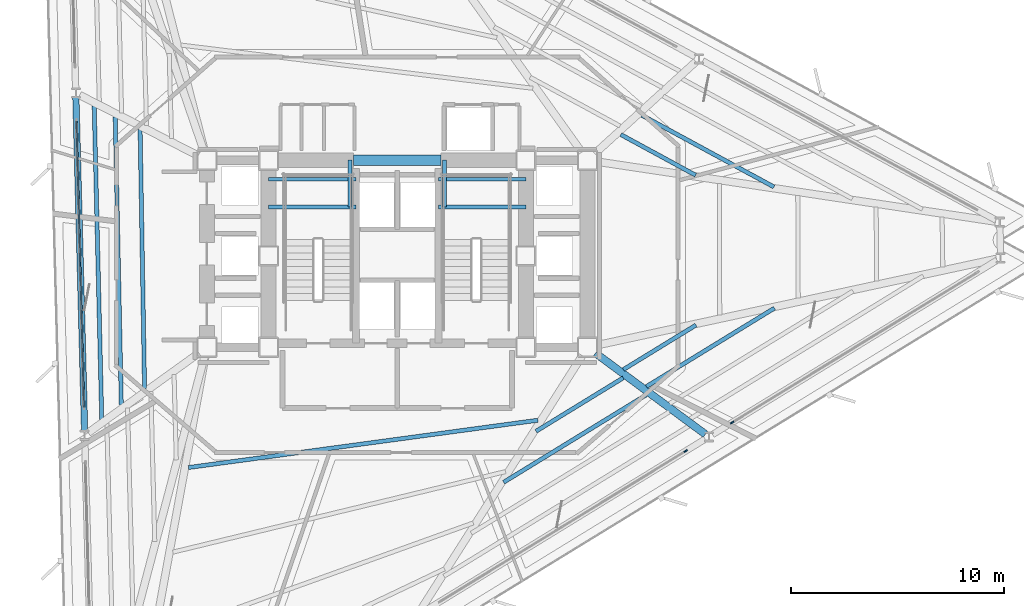
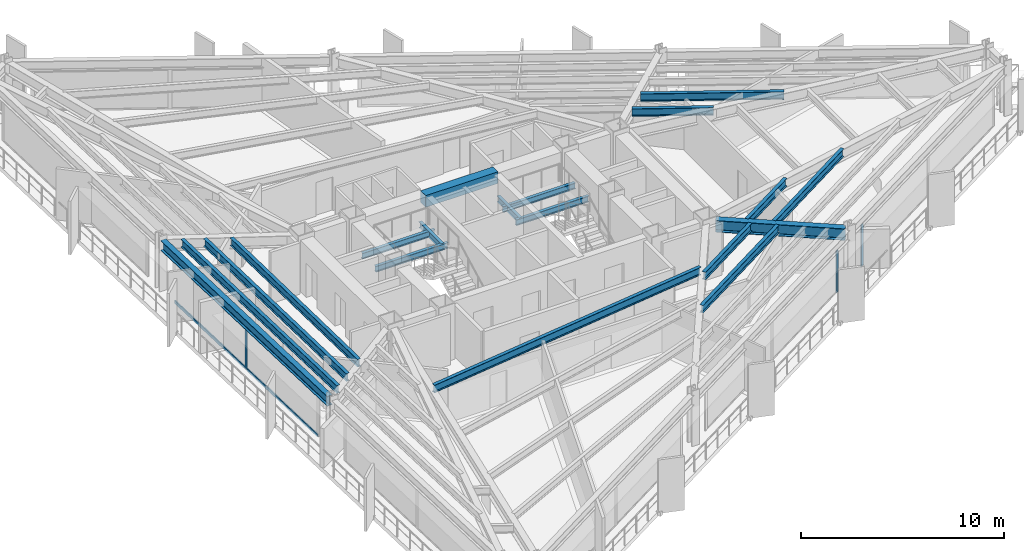
# One storey, part 3 of 14: 19 beams, 7 members, 3 elements without a shape of their own.
"""IFC4 building model written with IfcOpenShell, lengths in metres."""

from ifc_helpers import new_model, si_unit, direction, frame, origin, origin_2d, place, context, subcontext, project, spatial, rectangle, i_section, extrude, material, layer, layer_set, material_profile, profile_set, type_object, element, aggregate, save


model = new_model("IFC4")

# Units and contexts
model_context = context("Model", 3, precision=1e-05, world=origin(), true_north=direction((0.0, 1.0)))
body_context = subcontext(model_context, "Body", "Model", "MODEL_VIEW")
ifc_project = project(units=[si_unit("LENGTHUNIT", "METRE"), si_unit("AREAUNIT", "SQUARE_METRE"), si_unit("VOLUMEUNIT", "CUBIC_METRE"), si_unit("PLANEANGLEUNIT", "RADIAN"), si_unit("MASSUNIT", "GRAM", prefix="KILO")], contexts=[model_context])

# Site, building, storey
site_placement = place(None, origin())
site = spatial("IfcSite", under=ifc_project, at=site_placement, CompositionType="ELEMENT")
building_placement = place(site_placement, origin())
building = spatial("IfcBuilding", under=site, at=building_placement, Name="Rocaltana Carrier Exchange", CompositionType="ELEMENT")
storey_placement = place(building_placement, frame((0.0, 0.0, 32.320068359375)))
storey = spatial("IfcBuildingStorey", under=building, at=storey_placement, Name="L10", CompositionType="ELEMENT", Elevation=32.320068359375)

# Curtain wall, member
ifc_material_1 = material(Name="Aluminium 6063-T6", Category="aluminium")
ifc_layer = layer(ifc_material_1, 0.179931640625)
ifc_layer_set = layer_set([ifc_layer], Name="Aluminium 6063-T6")
curtain_wall_type = type_object("IfcCurtainWallType", Name="Sandstone Spandrel Unitised Curtain Wall CW-01", PredefinedType="NOTDEFINED", material=ifc_layer_set)
curtain_wall_1_placement = place(storey_placement, origin())
curtain_wall_1 = element("IfcCurtainWall", 1, at=curtain_wall_1_placement, inside=storey, type_object=curtain_wall_type, Name="L10 CW-01 Run CW-L10-F2S2", PredefinedType="NOTDEFINED")
ifc_material_2 = material(Name="Aluminium 6063-T6", Category="aluminium")
ifc_material_profile_1 = material_profile(ifc_material_2, rectangle(XDim=0.06494140625, YDim=0.179931640625, at=origin_2d()), Name="AL-65X180")
ifc_profile_set_1 = profile_set([ifc_material_profile_1], Name="Aluminium 6063-T6")
member_type_1 = type_object("IfcMemberType", Name="CW-01 Mullion AL-65X180", PredefinedType="MULLION", material=ifc_profile_set_1)
member_1_placement = place(storey_placement, frame((-14.91064453125, -0.390380859375, 0.0), z_axis=(0.0, 0.0, 1.0), x_axis=(0.99965733548, 0.026176547142, 0.0)))
member_1 = element("IfcMember", 2, at=member_1_placement, type_object=member_type_1, Name="CW-01 mullion 2", PredefinedType="MULLION", context=body_context, shape_type="SweptSolid", body=[
    extrude(rectangle(XDim=0.06494140625, YDim=0.179931640625, at=origin_2d()), origin(), (0.0, 0.0, 1.0), 2.47802734375),
])

curtain_wall_2_placement = place(storey_placement, origin())
curtain_wall_2 = element("IfcCurtainWall", 3, at=curtain_wall_2_placement, inside=storey, type_object=curtain_wall_type, Name="L10 CW-01 Run CW-L10-F3S2", PredefinedType="NOTDEFINED")
member_2_placement = place(storey_placement, frame((13.563720703125, -9.181884765625, 0.0), z_axis=(0.0, 0.0, 1.0), x_axis=(-0.522499812415, 0.852639399762, 0.0)))
member_2 = element("IfcMember", 4, at=member_2_placement, type_object=member_type_1, Name="CW-01 mullion 3", PredefinedType="MULLION", context=body_context, shape_type="SweptSolid", body=[
    extrude(rectangle(XDim=0.06494140625, YDim=0.179931640625, at=origin_2d()), origin(), (0.0, 0.0, 1.0), 2.47802734375),
])
aggregate(curtain_wall_2, [member_2])

curtain_wall_3_placement = place(storey_placement, origin())
curtain_wall_3 = element("IfcCurtainWall", 5, at=curtain_wall_3_placement, inside=storey, type_object=curtain_wall_type, Name="L10 CW-01 Run CW-L10-F3S3", PredefinedType="NOTDEFINED")
member_3_placement = place(storey_placement, frame((15.750732421875, -7.841552734375, 0.0), z_axis=(0.0, 0.0, 1.0), x_axis=(-0.522499812415, 0.852639399762, 0.0)))
member_3 = element("IfcMember", 6, at=member_3_placement, type_object=member_type_1, Name="CW-01 mullion 1", PredefinedType="MULLION", context=body_context, shape_type="SweptSolid", body=[
    extrude(rectangle(XDim=0.06494140625, YDim=0.179931640625, at=origin_2d()), origin(), (0.0, 0.0, 1.0), 2.47802734375),
])
aggregate(curtain_wall_3, [member_3])

# Member
ifc_material_3 = material(Name="Aluminium 6063-T6", Category="aluminium")
ifc_material_profile_2 = material_profile(ifc_material_3, rectangle(XDim=0.06494140625, YDim=0.179931640625, at=origin_2d()), Name="AL-65X180")
ifc_profile_set_2 = profile_set([ifc_material_profile_2], Name="Aluminium 6063-T6")
member_type_2 = type_object("IfcMemberType", Name="CW-01 Transom AL-65X180", PredefinedType="USERDEFINED", material=ifc_profile_set_2)
member_4_placement = place(storey_placement, frame((-15.0869140625, 6.34228515625, 0.032470703125), z_axis=(0.026153417925, -0.999657940863, 0.0), x_axis=(0.999657940863, 0.026153417925, 0.0)))
member_4 = element("IfcMember", 7, at=member_4_placement, type_object=member_type_2, Name="CW-01 transom 1.1", ObjectType="TRANSOM", PredefinedType="USERDEFINED", context=body_context, shape_type="SweptSolid", body=[
    extrude(rectangle(XDim=0.06494140625, YDim=0.179931640625, at=origin_2d()), origin(), (0.0, 0.0, 1.0), 6.702392578125),
])

member_5_placement = place(storey_placement, frame((-15.0869140625, 6.34228515625, 2.4453125), z_axis=(0.026153417925, -0.999657940863, 0.0), x_axis=(0.999657940863, 0.026153417925, 0.0)))
member_5 = element("IfcMember", 8, at=member_5_placement, type_object=member_type_2, Name="CW-01 transom 1.2", ObjectType="TRANSOM", PredefinedType="USERDEFINED", context=body_context, shape_type="SweptSolid", body=[
    extrude(rectangle(XDim=0.06494140625, YDim=0.179931640625, at=origin_2d()), origin(), (0.0, 0.0, 1.0), 6.702392578125),
])

member_6_placement = place(storey_placement, frame((-14.909912109375, -0.4228515625, 0.032470703125), z_axis=(0.026189818331, -0.999656987879, 0.0), x_axis=(0.999656987879, 0.026189818331, 0.0)))
member_6 = element("IfcMember", 9, at=member_6_placement, type_object=member_type_2, Name="CW-01 transom 2.1", ObjectType="TRANSOM", PredefinedType="USERDEFINED", context=body_context, shape_type="SweptSolid", body=[
    extrude(rectangle(XDim=0.06494140625, YDim=0.179931640625, at=origin_2d()), origin(), (0.0, 0.0, 1.0), 6.702392578125),
])

member_7_placement = place(storey_placement, frame((-14.909912109375, -0.4228515625, 2.4453125), z_axis=(0.026189818331, -0.999656987879, 0.0), x_axis=(0.999656987879, 0.026189818331, 0.0)))
member_7 = element("IfcMember", 10, at=member_7_placement, type_object=member_type_2, Name="CW-01 transom 2.2", ObjectType="TRANSOM", PredefinedType="USERDEFINED", context=body_context, shape_type="SweptSolid", body=[
    extrude(rectangle(XDim=0.06494140625, YDim=0.179931640625, at=origin_2d()), origin(), (0.0, 0.0, 1.0), 6.702392578125),
])

aggregate(curtain_wall_1, [member_1, member_4, member_5, member_6, member_7])

# Beams
ifc_material_4 = material(Name="Concrete C60/75", Category="concrete")
ifc_material_profile_3 = material_profile(ifc_material_4, rectangle(XDim=0.5, YDim=0.699951171875, at=origin_2d()), Name="RC-BM-500X700")
ifc_profile_set_3 = profile_set([ifc_material_profile_3], Name="Concrete C60/75")
beam_type_1 = type_object("IfcBeamType", Name="Core Coupling Lintel 500x700", PredefinedType="LINTEL", material=ifc_profile_set_3)
beam_1_placement = place(storey_placement, frame((-2.050048828125, 4.5, 2.748046875), z_axis=(1.0, 0.0, 0.0), x_axis=(0.0, 1.0, 0.0)))
element("IfcBeam", 11, at=beam_1_placement, inside=storey, type_object=beam_type_1, Name="L10 Core Coupling Lintel CL-N", PredefinedType="LINTEL", context=body_context, shape_type="SweptSolid", body=[
    extrude(rectangle(XDim=0.5, YDim=0.699951171875, at=origin_2d()), origin(), (0.0, 0.0, 1.0), 4.10009765625),
])
ifc_material_5 = material(Name="Steel S355", Category="steel")
ifc_material_profile_4 = material_profile(ifc_material_5, i_section(OverallWidth=0.172119140625, OverallDepth=0.35791015625, WebThickness=0.0078125, FlangeThickness=0.01318359375, FilletRadius=0.011962890625, at=origin_2d()), Name="W14X38")
ifc_profile_set_4 = profile_set([ifc_material_profile_4], Name="Steel S355")
beam_type_2 = type_object("IfcBeamType", Name="Floor Joist W14X38", PredefinedType="JOIST", material=ifc_profile_set_4)
for number, where, z_axis, x_axis, name in (
    (12, (-6.050048828125, 2.300048828125, 1.301025390625), (1.0, 0.0, 0.0), (0.0, 1.0, 0.0), "L10 ST-1 Landing Carrier 1"),
    (13, (1.93994140625, 2.300048828125, 1.301025390625), (1.0, 0.0, 0.0), (0.0, 1.0, 0.0), "L10 ST-2 Landing Carrier 1"),
    (14, (-6.050048828125, 3.60009765625, 1.301025390625), (1.0, 0.0, 0.0), (0.0, 1.0, 0.0), "L10 ST-1 Landing Carrier 2"),
    (15, (1.93994140625, 3.60009765625, 1.301025390625), (1.0, 0.0, 0.0), (0.0, 1.0, 0.0), "L10 ST-2 Landing Carrier 2"),
):
    element("IfcBeam", number, at=place(storey_placement, frame(where, z_axis=z_axis, x_axis=x_axis)), inside=storey, type_object=beam_type_2, Name=name, PredefinedType="JOIST", context=body_context, shape_type="SweptSolid", body=[
        extrude(i_section(OverallWidth=0.172119140625, OverallDepth=0.35791015625, WebThickness=0.0078125, FlangeThickness=0.01318359375, FilletRadius=0.011962890625, at=origin_2d()), origin(), (0.0, 0.0, 1.0), 4.110107421875),
    ])
for number, where, z_axis, x_axis, name in (
    (16, (-2.219970703125, 2.300048828125, 1.301025390625), (0.0, 1.0, 0.0), (-1.0, 0.0, 0.0), "L10 ST-1 Landing Cross Trimmer"),
    (17, (2.219970703125, 2.300048828125, 1.301025390625), (0.0, 1.0, 0.0), (-1.0, 0.0, 0.0), "L10 ST-2 Landing Cross Trimmer"),
):
    element("IfcBeam", number, at=place(storey_placement, frame(where, z_axis=z_axis, x_axis=x_axis)), inside=storey, type_object=beam_type_2, Name=name, PredefinedType="JOIST", context=body_context, shape_type="SweptSolid", body=[
        extrude(i_section(OverallWidth=0.172119140625, OverallDepth=0.35791015625, WebThickness=0.0078125, FlangeThickness=0.01318359375, FilletRadius=0.011962890625, at=origin_2d()), origin(), (0.0, 0.0, 1.0), 2.199951171875),
    ])
ifc_material_6 = material(Name="Steel S355", Category="steel")
ifc_material_profile_5 = material_profile(ifc_material_6, i_section(OverallWidth=0.193115234375, OverallDepth=0.466064453125, WebThickness=0.011474609375, FlangeThickness=0.01904296875, FilletRadius=0.013916015625, at=origin_2d()), Name="W18X65")
ifc_profile_set_5 = profile_set([ifc_material_profile_5], Name="Steel S355")
beam_type_3 = type_object("IfcBeamType", Name="Floor Joist W18X65", PredefinedType="JOIST", material=ifc_profile_set_5)
beam_2_placement = place(storey_placement, frame((14.03466796875, 3.794921875, 2.864990234375), z_axis=(-0.878819095461, 0.477155108381, 0.0), x_axis=(-0.477155108381, -0.878819095461, 0.0)))
element("IfcBeam", 18, at=beam_2_placement, inside=storey, type_object=beam_type_3, Name="FJ-L10-01-1", PredefinedType="JOIST", context=body_context, shape_type="SweptSolid", body=[
    extrude(i_section(OverallWidth=0.193115234375, OverallDepth=0.466064453125, WebThickness=0.011474609375, FlangeThickness=0.01904296875, FilletRadius=0.013916015625, at=origin_2d()), origin(), (0.0, 0.0, 1.0), 4.003662109375),
])
beam_3_placement = place(storey_placement, frame((17.718994140625, 3.240966796875, 2.864990234375), z_axis=(-0.878818644884, 0.477155938247, 0.0), x_axis=(-0.477155938247, -0.878818644884, 0.0)))
element("IfcBeam", 19, at=beam_3_placement, inside=storey, type_object=beam_type_3, Name="FJ-L10-01-2", PredefinedType="JOIST", context=body_context, shape_type="SweptSolid", body=[
    extrude(i_section(OverallWidth=0.193115234375, OverallDepth=0.466064453125, WebThickness=0.011474609375, FlangeThickness=0.01904296875, FilletRadius=0.013916015625, at=origin_2d()), origin(), (0.0, 0.0, 1.0), 7.06298828125),
])
beam_4_placement = place(storey_placement, frame((-12.094482421875, 5.9384765625, 2.864990234375), z_axis=(0.01715934819, -0.999852767546, 0.0), x_axis=(0.999852767546, 0.01715934819, 0.0)))
element("IfcBeam", 20, at=beam_4_placement, inside=storey, type_object=beam_type_3, Name="FJ-L10-06-2", PredefinedType="JOIST", context=body_context, shape_type="SweptSolid", body=[
    extrude(i_section(OverallWidth=0.193115234375, OverallDepth=0.466064453125, WebThickness=0.011474609375, FlangeThickness=0.01904296875, FilletRadius=0.013916015625, at=origin_2d()), origin(), (0.0, 0.0, 1.0), 12.178955078125),
])
beam_5_placement = place(storey_placement, frame((-13.266357421875, 6.538330078125, 2.864990234375), z_axis=(0.021217434782, -0.999774884892, 0.0), x_axis=(0.999774884892, 0.021217434782, 0.0)))
element("IfcBeam", 21, at=beam_5_placement, inside=storey, type_object=beam_type_3, Name="FJ-L10-06-3", PredefinedType="JOIST", context=body_context, shape_type="SweptSolid", body=[
    extrude(i_section(OverallWidth=0.193115234375, OverallDepth=0.466064453125, WebThickness=0.011474609375, FlangeThickness=0.01904296875, FilletRadius=0.013916015625, at=origin_2d()), origin(), (0.0, 0.0, 1.0), 13.56640625),
])
beam_6_placement = place(storey_placement, frame((-14.25341796875, 7.04345703125, 2.864990234375), z_axis=(0.024041709719, -0.999710956324, 0.0), x_axis=(0.999710956324, 0.024041709719, 0.0)))
element("IfcBeam", 22, at=beam_6_placement, inside=storey, type_object=beam_type_3, Name="FJ-L10-06-4", PredefinedType="JOIST", context=body_context, shape_type="SweptSolid", body=[
    extrude(i_section(OverallWidth=0.193115234375, OverallDepth=0.466064453125, WebThickness=0.011474609375, FlangeThickness=0.01904296875, FilletRadius=0.013916015625, at=origin_2d()), origin(), (0.0, 0.0, 1.0), 14.734619140625),
])
beam_7_placement = place(storey_placement, frame((-9.819091796875, -9.956787109375, 2.864990234375), z_axis=(0.990955694238, 0.13418946329, 0.0), x_axis=(-0.13418946329, 0.990955694238, 0.0)))
element("IfcBeam", 23, at=beam_7_placement, inside=storey, type_object=beam_type_3, Name="FJ-L10-09-1", PredefinedType="JOIST", context=body_context, shape_type="SweptSolid", body=[
    extrude(i_section(OverallWidth=0.193115234375, OverallDepth=0.466064453125, WebThickness=0.011474609375, FlangeThickness=0.01904296875, FilletRadius=0.013916015625, at=origin_2d()), origin(), (0.0, 0.0, 1.0), 16.58349609375),
])
beam_8_placement = place(storey_placement, frame((6.52978515625, -8.25, 2.864990234375), z_axis=(0.852639920922, 0.522498961961, 0.0), x_axis=(-0.522498961961, 0.852639920922, 0.0)))
element("IfcBeam", 24, at=beam_8_placement, inside=storey, type_object=beam_type_3, Name="FJ-L10-10-1", PredefinedType="JOIST", context=body_context, shape_type="SweptSolid", body=[
    extrude(i_section(OverallWidth=0.193115234375, OverallDepth=0.466064453125, WebThickness=0.011474609375, FlangeThickness=0.01904296875, FilletRadius=0.013916015625, at=origin_2d()), origin(), (0.0, 0.0, 1.0), 4.80908203125),
])
beam_9_placement = place(storey_placement, frame((5.005859375, -10.648681640625, 2.864990234375), z_axis=(0.852633806111, 0.522508940283, 0.0), x_axis=(-0.522508940283, 0.852633806111, 0.0)))
element("IfcBeam", 25, at=beam_9_placement, inside=storey, type_object=beam_type_3, Name="FJ-L10-10-2", PredefinedType="JOIST", context=body_context, shape_type="SweptSolid", body=[
    extrude(i_section(OverallWidth=0.193115234375, OverallDepth=0.466064453125, WebThickness=0.011474609375, FlangeThickness=0.01904296875, FilletRadius=0.013916015625, at=origin_2d()), origin(), (0.0, 0.0, 1.0), 7.867919921875),
])
beam_10_placement = place(storey_placement, frame((10.63720703125, -5.34765625, 2.864990234375), z_axis=(0.852634552526, 0.522507722277, 0.0), x_axis=(-0.522507722277, 0.852634552526, 0.0)))
element("IfcBeam", 26, at=beam_10_placement, inside=storey, type_object=beam_type_3, Name="FJ-L10-11-1", PredefinedType="JOIST", context=body_context, shape_type="SweptSolid", body=[
    extrude(i_section(OverallWidth=0.193115234375, OverallDepth=0.466064453125, WebThickness=0.011474609375, FlangeThickness=0.01904296875, FilletRadius=0.013916015625, at=origin_2d()), origin(), (0.0, 0.0, 1.0), 4.00390625),
])
beam_11_placement = place(storey_placement, frame((11.721435546875, -6.147705078125, 2.864990234375), z_axis=(0.85265490201, 0.522474514286, 0.0), x_axis=(-0.522474514286, 0.85265490201, 0.0)))
element("IfcBeam", 27, at=beam_11_placement, inside=storey, type_object=beam_type_3, Name="FJ-L10-11-2", PredefinedType="JOIST", context=body_context, shape_type="SweptSolid", body=[
    extrude(i_section(OverallWidth=0.193115234375, OverallDepth=0.466064453125, WebThickness=0.011474609375, FlangeThickness=0.01904296875, FilletRadius=0.013916015625, at=origin_2d()), origin(), (0.0, 0.0, 1.0), 7.06298828125),
])
ifc_material_7 = material(Name="Steel S355", Category="steel")
ifc_material_profile_6 = material_profile(ifc_material_7, i_section(OverallWidth=0.35498046875, OverallDepth=0.695068359375, WebThickness=0.015380859375, FlangeThickness=0.02490234375, FilletRadius=0.01806640625, at=origin_2d()), Name="W27X146")
ifc_profile_set_6 = profile_set([ifc_material_profile_6], Name="Steel S355")
beam_type_4 = type_object("IfcBeamType", Name="Radial Girder W27X146", PredefinedType="BEAM", material=ifc_profile_set_6)
beam_12_placement = place(storey_placement, frame((9.32568359375, -4.577392578125, 2.75048828125), z_axis=(0.804638080619, -0.59376557598, 0.0), x_axis=(0.59376557598, 0.804638080619, 0.0)))
element("IfcBeam", 28, at=beam_12_placement, inside=storey, type_object=beam_type_4, Name="RG-L10-11", PredefinedType="BEAM", context=body_context, shape_type="SweptSolid", body=[
    extrude(i_section(OverallWidth=0.35498046875, OverallDepth=0.695068359375, WebThickness=0.015380859375, FlangeThickness=0.02490234375, FilletRadius=0.01806640625, at=origin_2d()), origin(), (0.0, 0.0, 1.0), 6.422119140625),
])
ifc_material_8 = material(Name="Steel S355", Category="steel")
ifc_material_profile_7 = material_profile(ifc_material_8, i_section(OverallWidth=0.300048828125, OverallDepth=0.60009765625, WebThickness=0.015380859375, FlangeThickness=0.030029296875, FilletRadius=0.027099609375, at=origin_2d()), Name="HEB600")
ifc_profile_set_7 = profile_set([ifc_material_profile_7], Name="Steel S355")
beam_type_5 = type_object("IfcBeamType", Name="Spandrel Edge Beam HEB600", PredefinedType="SPANDREL", material=ifc_profile_set_7)
beam_13_placement = place(storey_placement, frame((-15.1162109375, 7.452880859375, 2.7978515625), z_axis=(0.026184348618, -0.999657131164, 0.0), x_axis=(0.999657131164, 0.026184348618, 0.0)))
element("IfcBeam", 29, at=beam_13_placement, inside=storey, type_object=beam_type_5, Name="SP-L10-06", PredefinedType="SPANDREL", context=body_context, shape_type="SweptSolid", body=[
    extrude(i_section(OverallWidth=0.300048828125, OverallDepth=0.60009765625, WebThickness=0.015380859375, FlangeThickness=0.030029296875, FilletRadius=0.027099609375, at=origin_2d()), origin(), (0.0, 0.0, 1.0), 15.692138671875),
])

save(model, "model.ifc")
